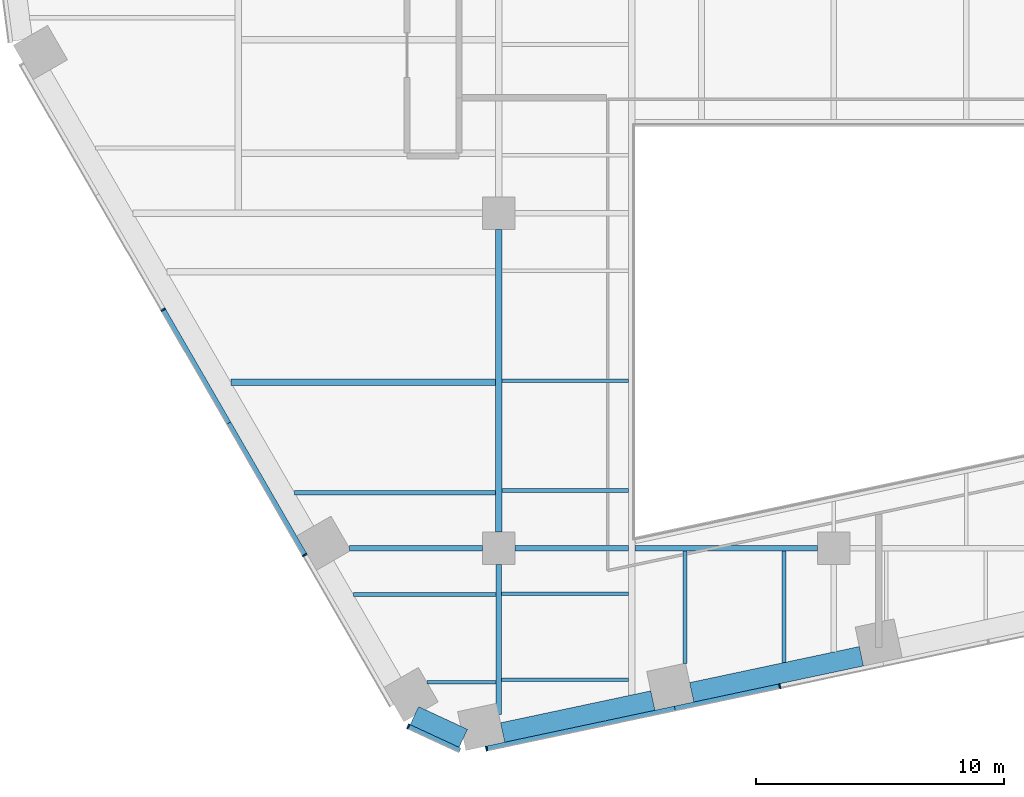
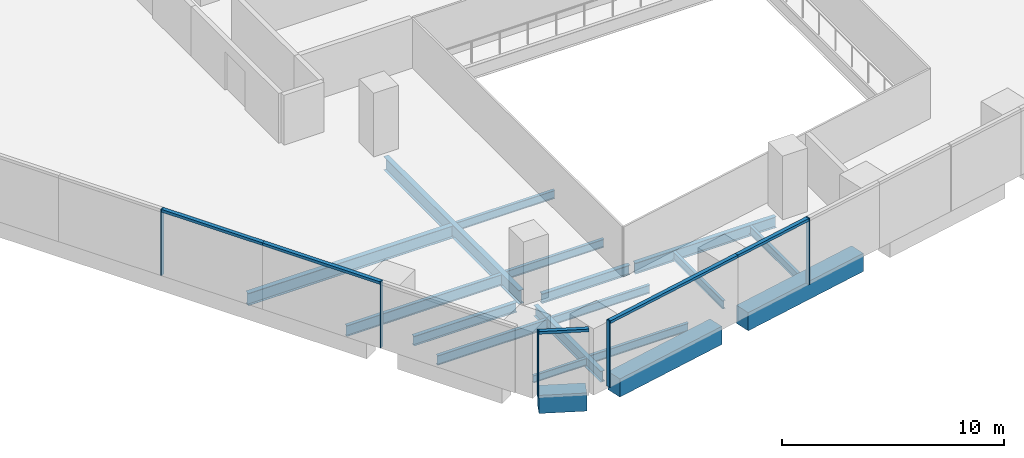
# One storey, part 2 of 19: 18 beams, 10 members, 3 elements without a shape of their own.
"""IFC4 building model written with IfcOpenShell, lengths in metres."""

import ifcopenshell
import ifcopenshell.guid

model = None  # the IFC model being written
_history = None  # IfcOwnerHistory: only IFC2X3 demands one
_inside = {}  # id of a spatial element -> (the spatial element, [elements in it])
_under = {}  # id of a project, library or spatial element -> (it, [spatial elements below it])
_declared = {}  # id of a project -> (the project, [libraries it declares])
_typed = {}  # id of a type object -> (the type object, [elements of that type])
_made_of = {}  # id of a material, layer set ... -> (it, [elements and type objects made of it])


def new_model(schema):
    """Start an empty IFC model of exactly this schema.

    Asked for "IFC4X3", IfcOpenShell would pick the latest addendum, in which some entities
    have other attributes; the version numbers below select the first issue.
    IFC2X3 requires an IfcOwnerHistory on every rooted entity: one is made here for all.
    """
    global model, _history
    if schema == "IFC4X3":
        model = ifcopenshell.file(schema_version=(4, 3, 0, 0))
    else:
        model = ifcopenshell.file(schema=schema)
    _inside.clear()
    _under.clear()
    _declared.clear()
    _typed.clear()
    _made_of.clear()
    _history = None
    if model.schema == "IFC2X3":
        org = make("IfcOrganization", Name="unknown")
        user = make(
            "IfcPersonAndOrganization",
            ThePerson=make("IfcPerson", FamilyName="unknown"),
            TheOrganization=org,
        )
        app = make(
            "IfcApplication",
            ApplicationDeveloper=org,
            Version="unknown",
            ApplicationFullName="unknown",
            ApplicationIdentifier="unknown",
        )
        _history = make(
            "IfcOwnerHistory",
            OwningUser=user,
            OwningApplication=app,
            ChangeAction="ADDED",
            CreationDate=0,
        )
    return model


def make(cls, **values):
    """One entity of the class cls with the attributes given. An attribute that is None is left unset."""
    return model.create_entity(
        cls, **{name: value for name, value in values.items() if value is not None}
    )


def rooted(cls, **values):
    """An entity with a GlobalId (a new one), such as an element, a storey or a relation."""
    return make(cls, GlobalId=ifcopenshell.guid.new(), OwnerHistory=_history, **values)


def si_unit(unit_type, name, prefix=None):
    """IfcSIUnit, for example si_unit("LENGTHUNIT", "METRE", prefix="MILLI")."""
    return make("IfcSIUnit", UnitType=unit_type, Prefix=prefix, Name=name)


def assignment(units):
    """IfcUnitAssignment: the units of a project."""
    return None if units is None else make("IfcUnitAssignment", Units=units)


def point(xyz):
    """IfcCartesianPoint."""
    return None if xyz is None else make("IfcCartesianPoint", Coordinates=xyz)


def direction(xyz):
    """IfcDirection."""
    return None if xyz is None else make("IfcDirection", DirectionRatios=xyz)


def frame(location, z_axis=None, x_axis=None):
    """IfcAxis2Placement3D, a coordinate frame: its origin and axes. An axis left out is left unset."""
    return make(
        "IfcAxis2Placement3D",
        Location=point(location),
        Axis=direction(z_axis),
        RefDirection=direction(x_axis),
    )


def frame_2d(location, x_axis=None):
    """IfcAxis2Placement2D, a coordinate frame in the plane: its origin and x axis."""
    return make(
        "IfcAxis2Placement2D", Location=point(location), RefDirection=direction(x_axis)
    )


def origin():
    """The frame at (0, 0, 0) with its axes left unset."""
    return frame((0.0, 0.0, 0.0))


def origin_2d():
    """The frame at (0, 0) in the plane with its x axis left unset."""
    return frame_2d((0.0, 0.0))


def place(relative_to, where):
    """IfcLocalPlacement: puts the frame where relative to a parent placement (None: the world)."""
    return make(
        "IfcLocalPlacement", PlacementRelTo=relative_to, RelativePlacement=where
    )


def context(
    kind, dimensions, precision=None, world=None, true_north=None, identifier=None
):
    """IfcGeometricRepresentationContext, for example the 3D "Model" context."""
    return make(
        "IfcGeometricRepresentationContext",
        ContextIdentifier=identifier,
        ContextType=kind,
        CoordinateSpaceDimension=dimensions,
        Precision=precision,
        WorldCoordinateSystem=world,
        TrueNorth=true_north,
    )


def subcontext(parent, identifier, kind, view, scale=None):
    """IfcGeometricRepresentationSubContext, for example "Body" below "Model"."""
    return make(
        "IfcGeometricRepresentationSubContext",
        ContextIdentifier=identifier,
        ContextType=kind,
        ParentContext=parent,
        TargetScale=scale,
        TargetView=view,
    )


def project(units=None, contexts=None):
    """IfcProject with its units and contexts."""
    return rooted(
        "IfcProject",
        Name="project",
        RepresentationContexts=contexts,
        UnitsInContext=assignment(units),
    )


def spatial(cls, under=None, at=None, **own):
    """A site, building, storey or space (cls), placed at a placement, below another one or the project."""
    s = rooted(cls, ObjectPlacement=at, **own)
    if under is not None:
        _under.setdefault(under.id(), (under, []))[1].append(s)
    return s


def profile(cls, at=None, kind="AREA", **sizes):
    """A parametric profile (cls). Its sizes go by their IFC names, for example OverallWidth=200.0."""
    return make(cls, ProfileType=kind, Position=at, **sizes)


def rectangle(**sizes):
    """IfcRectangleProfileDef."""
    return profile("IfcRectangleProfileDef", **sizes)


def i_section(**sizes):
    """IfcIShapeProfileDef."""
    return profile("IfcIShapeProfileDef", **sizes)


def extrude(swept, where, along, depth):
    """IfcExtrudedAreaSolid: the profile swept, set in the frame where, extruded along a direction by depth."""
    return make(
        "IfcExtrudedAreaSolid",
        SweptArea=swept,
        Position=where,
        ExtrudedDirection=direction(along),
        Depth=depth,
    )


def shape(context_of_items, identifier, shape_type, items):
    """IfcShapeRepresentation: the items that make up one representation, for example the "Body"."""
    return make(
        "IfcShapeRepresentation",
        ContextOfItems=context_of_items,
        RepresentationIdentifier=identifier,
        RepresentationType=shape_type,
        Items=items,
    )


def material(Name=None, Category=None):
    """IfcMaterial."""
    return make("IfcMaterial", Name=Name, Category=Category)


def layer(
    of_material, thickness, ventilated=None, Name=None, Category=None, Priority=None
):
    """IfcMaterialLayer: one layer of a wall or slab, of a material (None: an air gap)."""
    return make(
        "IfcMaterialLayer",
        Material=of_material,
        LayerThickness=thickness,
        IsVentilated=ventilated,
        Name=Name,
        Category=Category,
        Priority=Priority,
    )


def layer_set(layers, Name=None):
    """IfcMaterialLayerSet."""
    return make("IfcMaterialLayerSet", MaterialLayers=layers, LayerSetName=Name)


def material_profile(
    of_material, cross_section, Name=None, Category=None, Priority=None
):
    """IfcMaterialProfile: a cross section and its material."""
    return make(
        "IfcMaterialProfile",
        Name=Name,
        Material=of_material,
        Profile=cross_section,
        Priority=Priority,
        Category=Category,
    )


def profile_set(profiles, Name=None, composite=None):
    """IfcMaterialProfileSet."""
    return make(
        "IfcMaterialProfileSet",
        Name=Name,
        MaterialProfiles=profiles,
        CompositeProfile=composite,
    )


def made_of(thing, what):
    """Note that an element or type object is made of a material, layer set ...; save() writes the relation."""
    if what is not None:
        _made_of.setdefault(what.id(), (what, []))[1].append(thing)
    return thing


def type_object(cls, material=None, **own):
    """A type object (cls), such as IfcWallType, which elements share."""
    return made_of(rooted(cls, **own), material)


def element(
    cls,
    number,
    at=None,
    inside=None,
    cuts=None,
    type_object=None,
    material=None,
    context=None,
    identifier="Body",
    shape_type=None,
    held_by="IfcProductDefinitionShape",
    body=None,
    shapes=None,
    **own,
):
    """One element of the class cls, such as IfcWall. Its Tag is "e" and its number.

    at: its placement. inside: the storey or other place that contains it. cuts: it is an
    opening in that element (IfcRelVoidsElement). A single representation is given by context,
    identifier, shape_type and body (its items); several are given by shapes. held_by: the class
    of the entity that holds the representations. save() writes the other relations.
    """
    e = rooted(cls, Tag="e%d" % number, ObjectPlacement=at, **own)
    if body is not None:
        shapes = [shape(context, identifier, shape_type, body)]
    if shapes is not None:
        e.Representation = make(held_by, Representations=shapes)
    if inside is not None:
        _inside.setdefault(inside.id(), (inside, []))[1].append(e)
    if cuts is not None:
        rooted(
            "IfcRelVoidsElement", RelatingBuildingElement=cuts, RelatedOpeningElement=e
        )
    if type_object is not None:
        _typed.setdefault(type_object.id(), (type_object, []))[1].append(e)
    return made_of(e, material)


def aggregate(whole, parts):
    """IfcRelAggregates: a whole, such as a stair, and the parts it consists of."""
    return rooted("IfcRelAggregates", RelatingObject=whole, RelatedObjects=parts)


def save(model, path):
    """Write the relations noted so far, then the file.

    IfcRelAggregates (storeys below a building ...), IfcRelContainedInSpatialStructure (elements
    in a storey), IfcRelDefinesByType, IfcRelAssociatesMaterial and IfcRelDeclares: one each for
    every whole, place, type object, material and project.
    """
    for whole, parts in _under.values():
        aggregate(whole, parts)
    for where, things in _inside.values():
        rooted(
            "IfcRelContainedInSpatialStructure",
            RelatedElements=things,
            RelatingStructure=where,
        )
    for kind, things in _typed.values():
        rooted("IfcRelDefinesByType", RelatedObjects=things, RelatingType=kind)
    for what, things in _made_of.values():
        rooted("IfcRelAssociatesMaterial", RelatedObjects=things, RelatingMaterial=what)
    for by, libraries in _declared.values():
        rooted("IfcRelDeclares", RelatingContext=by, RelatedDefinitions=libraries)
    model.write(path)


model = new_model("IFC4")

# Units and contexts
model_context = context("Model", 3, precision=1e-05, world=origin(), true_north=direction((0.0, 1.0)))
body_context = subcontext(model_context, "Body", "Model", "MODEL_VIEW")
ifc_project = project(units=[si_unit("LENGTHUNIT", "METRE"), si_unit("AREAUNIT", "SQUARE_METRE"), si_unit("VOLUMEUNIT", "CUBIC_METRE"), si_unit("PLANEANGLEUNIT", "RADIAN"), si_unit("MASSUNIT", "GRAM", prefix="KILO")], contexts=[model_context])

# Site, building, storey
site_placement = place(None, origin())
site = spatial("IfcSite", under=ifc_project, at=site_placement, CompositionType="ELEMENT")
building_placement = place(site_placement, origin())
building = spatial("IfcBuilding", under=site, at=building_placement, Name="Isthmus Gate Tower", CompositionType="ELEMENT")
storey_placement = place(building_placement, frame((0.0, 0.0, 95.25)))
storey = spatial("IfcBuildingStorey", under=building, at=storey_placement, Name="L22", CompositionType="ELEMENT", Elevation=95.25)

# Curtain wall, members
ifc_material_1 = material(Name="Aluminium, pale champagne anodised", Category="aluminium")
ifc_layer = layer(ifc_material_1, 0.199951171875)
ifc_layer_set = layer_set([ifc_layer], Name="CW-1 UNITISED CURTAIN WALL 200 DEEP")
curtain_wall_type = type_object("IfcCurtainWallType", Name="CW-1 UNITISED CURTAIN WALL 200 DEEP", PredefinedType="NOTDEFINED", material=ifc_layer_set)
curtain_wall_1_placement = place(storey_placement, origin())
curtain_wall_1 = element("IfcCurtainWall", 1, at=curtain_wall_1_placement, inside=storey, type_object=curtain_wall_type, Name="CW-1 SW L22", PredefinedType="NOTDEFINED")
ifc_material_2 = material(Name="Aluminium, pale champagne anodised", Category="aluminium")
ifc_material_profile_1 = material_profile(ifc_material_2, rectangle(XDim=0.06005859375, YDim=0.199951171875, at=origin_2d()), Name="60x200")
ifc_profile_set_1 = profile_set([ifc_material_profile_1], Name="Aluminium, pale champagne anodised")
member_type_1 = type_object("IfcMemberType", Name="CW-1 MULLION 60 X 200", PredefinedType="MULLION", material=ifc_profile_set_1)
member_1_placement = place(storey_placement, frame((-27.026611328125, -17.388427734375, 0.0), z_axis=(0.0, 0.0, 1.0), x_axis=(0.5, -0.866025403784, 0.0)))
member_1 = element("IfcMember", 2, at=member_1_placement, type_object=member_type_1, Name="CW-1 mullion", PredefinedType="MULLION", context=body_context, shape_type="SweptSolid", body=[
    extrude(rectangle(XDim=0.06005859375, YDim=0.199951171875, at=origin_2d()), origin(), (0.0, 0.0, 1.0), 3.64990234375),
])
member_2_placement = place(storey_placement, frame((-21.318115234375, -27.27587890625, 0.0), z_axis=(0.0, 0.0, 1.0), x_axis=(0.5, -0.866025403784, 0.0)))
member_2 = element("IfcMember", 3, at=member_2_placement, type_object=member_type_1, Name="CW-1 mullion", PredefinedType="MULLION", context=body_context, shape_type="SweptSolid", body=[
    extrude(rectangle(XDim=0.06005859375, YDim=0.199951171875, at=origin_2d()), origin(), (0.0, 0.0, 1.0), 3.64990234375),
])

# Curtain wall, member
curtain_wall_2_placement = place(storey_placement, origin())
curtain_wall_2 = element("IfcCurtainWall", 4, at=curtain_wall_2_placement, inside=storey, type_object=curtain_wall_type, Name="CW-1 SW-S L22", PredefinedType="NOTDEFINED")
member_3_placement = place(storey_placement, frame((-17.14794921875, -34.184814453125, 0.0), z_axis=(0.0, 0.0, 1.0), x_axis=(0.907256261367, -0.420578264073, 0.0)))
member_3 = element("IfcMember", 5, at=member_3_placement, type_object=member_type_1, Name="CW-1 mullion", PredefinedType="MULLION", context=body_context, shape_type="SweptSolid", body=[
    extrude(rectangle(XDim=0.06005859375, YDim=0.199951171875, at=origin_2d()), origin(), (0.0, 0.0, 1.0), 3.64990234375),
])

# Curtain wall, members
curtain_wall_3_placement = place(storey_placement, origin())
curtain_wall_3 = element("IfcCurtainWall", 6, at=curtain_wall_3_placement, inside=storey, type_object=curtain_wall_type, Name="CW-1 S L22", PredefinedType="NOTDEFINED")
member_4_placement = place(storey_placement, frame((-13.992919921875, -35.076416015625, 0.0), z_axis=(0.0, 0.0, 1.0), x_axis=(0.978147600734, 0.207911690818, 0.0)))
member_4 = element("IfcMember", 7, at=member_4_placement, type_object=member_type_1, Name="CW-1 mullion", PredefinedType="MULLION", context=body_context, shape_type="SweptSolid", body=[
    extrude(rectangle(XDim=0.06005859375, YDim=0.199951171875, at=origin_2d()), origin(), (0.0, 0.0, 1.0), 3.64990234375),
])
member_5_placement = place(storey_placement, frame((-2.1728515625, -32.564208984375, 0.0), z_axis=(0.0, 0.0, 1.0), x_axis=(0.978147600734, 0.207911690818, 0.0)))
member_5 = element("IfcMember", 8, at=member_5_placement, type_object=member_type_1, Name="CW-1 mullion", PredefinedType="MULLION", context=body_context, shape_type="SweptSolid", body=[
    extrude(rectangle(XDim=0.06005859375, YDim=0.199951171875, at=origin_2d()), origin(), (0.0, 0.0, 1.0), 3.64990234375),
])

# Member
ifc_material_3 = material(Name="Aluminium, pale champagne anodised", Category="aluminium")
ifc_material_profile_2 = material_profile(ifc_material_3, rectangle(XDim=0.199951171875, YDim=0.14990234375, at=origin_2d()), Name="200x150")
ifc_profile_set_2 = profile_set([ifc_material_profile_2], Name="Aluminium, pale champagne anodised")
member_type_2 = type_object("IfcMemberType", Name="CW-1 TRANSOM 200 X 150", PredefinedType="USERDEFINED", material=ifc_profile_set_2)
member_6_placement = place(storey_placement, frame((-27.01171875, -17.414306640625, 3.574951171875), z_axis=(0.499996256241, -0.866027565234, 0.0), x_axis=(0.866027565234, 0.499996256241, 0.0)))
member_6 = element("IfcMember", 9, at=member_6_placement, type_object=member_type_2, Name="CW-1 transom", ObjectType="TRANSOM", PredefinedType="USERDEFINED", context=body_context, shape_type="SweptSolid", body=[
    extrude(rectangle(XDim=0.199951171875, YDim=0.14990234375, at=origin_2d()), origin(), (0.0, 0.0, 1.0), 5.24853515625),
])

member_7_placement = place(storey_placement, frame((-24.387451171875, -21.959716796875, 3.574951171875), z_axis=(0.500011900272, -0.86601853305, 0.0), x_axis=(0.86601853305, 0.500011900272, 0.0)))
member_7 = element("IfcMember", 10, at=member_7_placement, type_object=member_type_2, Name="CW-1 transom", ObjectType="TRANSOM", PredefinedType="USERDEFINED", context=body_context, shape_type="SweptSolid", body=[
    extrude(rectangle(XDim=0.199951171875, YDim=0.14990234375, at=origin_2d()), origin(), (0.0, 0.0, 1.0), 6.108642578125),
])

aggregate(curtain_wall_1, [member_1, member_6, member_7, member_2])

member_8_placement = place(storey_placement, frame((-17.120849609375, -34.197509765625, 3.574951171875), z_axis=(0.907246225564, -0.420599912268, 0.0), x_axis=(0.420599912268, 0.907246225564, 0.0)))
member_8 = element("IfcMember", 11, at=member_8_placement, type_object=member_type_2, Name="CW-1 transom", ObjectType="TRANSOM", PredefinedType="USERDEFINED", context=body_context, shape_type="SweptSolid", body=[
    extrude(rectangle(XDim=0.199951171875, YDim=0.14990234375, at=origin_2d()), origin(), (0.0, 0.0, 1.0), 2.258544921875),
])

aggregate(curtain_wall_2, [member_3, member_8])

member_9_placement = place(storey_placement, frame((-13.963623046875, -35.0703125, 3.574951171875), z_axis=(0.97815050153, 0.207898043176, 0.0), x_axis=(-0.207898043176, 0.97815050153, 0.0)))
member_9 = element("IfcMember", 12, at=member_9_placement, type_object=member_type_2, Name="CW-1 transom", ObjectType="TRANSOM", PredefinedType="USERDEFINED", context=body_context, shape_type="SweptSolid", body=[
    extrude(rectangle(XDim=0.199951171875, YDim=0.14990234375, at=origin_2d()), origin(), (0.0, 0.0, 1.0), 7.7294921875),
])

member_10_placement = place(storey_placement, frame((-6.403076171875, -33.46337890625, 3.574951171875), z_axis=(0.97813890815, 0.207952582007, 0.0), x_axis=(-0.207952582007, 0.97813890815, 0.0)))
member_10 = element("IfcMember", 13, at=member_10_placement, type_object=member_type_2, Name="CW-1 transom", ObjectType="TRANSOM", PredefinedType="USERDEFINED", context=body_context, shape_type="SweptSolid", body=[
    extrude(rectangle(XDim=0.199951171875, YDim=0.14990234375, at=origin_2d()), origin(), (0.0, 0.0, 1.0), 4.294677734375),
])

aggregate(curtain_wall_3, [member_4, member_9, member_10, member_5])

# Beams
ifc_material_4 = material(Name="Concrete f'c 70 MPa", Category="concrete")
ifc_material_profile_3 = material_profile(ifc_material_4, rectangle(XDim=0.800048828125, YDim=1.0, at=origin_2d()), Name="RC 800X1000")
ifc_profile_set_3 = profile_set([ifc_material_profile_3], Name="Concrete f'c 70 MPa")
beam_type_1 = type_object("IfcBeamType", Name="RC SPANDREL 800 X 1000", PredefinedType="SPANDREL", material=ifc_profile_set_3)
beam_1_placement = place(storey_placement, frame((1.112060546875, -31.354736328125, -0.5), z_axis=(-0.978149173437, -0.207904291694, 0.0), x_axis=(0.207904291694, -0.978149173437, 0.0)))
element("IfcBeam", 14, at=beam_1_placement, inside=storey, type_object=beam_type_1, Name="str-spandrel-L22-12", PredefinedType="SPANDREL", context=body_context, shape_type="SweptSolid", body=[
    extrude(rectangle(XDim=0.800048828125, YDim=1.0, at=origin_2d()), origin(), (0.0, 0.0, 1.0), 6.989501953125),
])
beam_2_placement = place(storey_placement, frame((-7.28955078125, -33.140625, -0.5), z_axis=(-0.978155442329, -0.207874795591, 0.0), x_axis=(0.207874795591, -0.978155442329, 0.0)))
element("IfcBeam", 15, at=beam_2_placement, inside=storey, type_object=beam_type_1, Name="str-spandrel-L22-13", PredefinedType="SPANDREL", context=body_context, shape_type="SweptSolid", body=[
    extrude(rectangle(XDim=0.800048828125, YDim=1.0, at=origin_2d()), origin(), (0.0, 0.0, 1.0), 6.189453125),
])
beam_3_placement = place(storey_placement, frame((-14.929443359375, -34.662109375, -0.5), z_axis=(-0.907290744498, 0.420503870314, 0.0), x_axis=(-0.420503870314, -0.907290744498, 0.0)))
element("IfcBeam", 16, at=beam_3_placement, inside=storey, type_object=beam_type_1, Name="str-spandrel-L22-14", PredefinedType="SPANDREL", context=body_context, shape_type="SweptSolid", body=[
    extrude(rectangle(XDim=0.800048828125, YDim=1.0, at=origin_2d()), origin(), (0.0, 0.0, 1.0), 2.173095703125),
])
ifc_material_5 = material(Name="Structural steel ASTM A992 Gr 50", Category="steel")
ifc_material_profile_4 = material_profile(ifc_material_5, i_section(OverallWidth=0.1396484375, OverallDepth=0.4033203125, WebThickness=0.00634765625, FlangeThickness=0.010986328125, at=origin_2d()), Name="W16X31")
ifc_profile_set_4 = profile_set([ifc_material_profile_4], Name="Structural steel ASTM A992 Gr 50")
beam_type_2 = type_object("IfcBeamType", Name="STEEL FLOOR BEAM W16X31", PredefinedType="JOIST", material=ifc_profile_set_4)
beam_4_placement = place(storey_placement, frame((-16.393310546875, -32.406005859375, -0.3515625), z_axis=(1.0, 0.0, 0.0), x_axis=(0.0, 1.0, 0.0)))
element("IfcBeam", 17, at=beam_4_placement, inside=storey, type_object=beam_type_2, Name="str-beam-L22-10-00", PredefinedType="JOIST", context=body_context, shape_type="SweptSolid", body=[
    extrude(i_section(OverallWidth=0.1396484375, OverallDepth=0.4033203125, WebThickness=0.00634765625, FlangeThickness=0.010986328125, at=origin_2d()), origin(), (0.0, 0.0, 1.0), 2.779052734375),
])
ifc_material_6 = material(Name="Structural steel ASTM A992 Gr 50", Category="steel")
ifc_material_profile_5 = material_profile(ifc_material_6, i_section(OverallWidth=0.15234375, OverallDepth=0.45068359375, WebThickness=0.0078125, FlangeThickness=0.010986328125, at=origin_2d()), Name="W18X35")
ifc_profile_set_5 = profile_set([ifc_material_profile_5], Name="Structural steel ASTM A992 Gr 50")
beam_type_3 = type_object("IfcBeamType", Name="STEEL FLOOR BEAM W18X35", PredefinedType="JOIST", material=ifc_profile_set_5)
for number, where, z_axis, x_axis, name in (
    (18, (-13.3857421875, -32.30322265625, -0.37548828125), (1.0, 0.0, 0.0), (0.0, 1.0, 0.0), "str-beam-L22-11-00"),
    (19, (-13.3857421875, -28.837646484375, -0.37548828125), (1.0, 0.0, 0.0), (0.0, 1.0, 0.0), "str-beam-L22-11-01"),
):
    element("IfcBeam", number, at=place(storey_placement, frame(where, z_axis=z_axis, x_axis=x_axis)), inside=storey, type_object=beam_type_3, Name=name, PredefinedType="JOIST", context=body_context, shape_type="SweptSolid", body=[
        extrude(i_section(OverallWidth=0.15234375, OverallDepth=0.45068359375, WebThickness=0.0078125, FlangeThickness=0.010986328125, at=origin_2d()), origin(), (0.0, 0.0, 1.0), 5.119140625),
    ])
for number, where, z_axis, x_axis, name in (
    (20, (-13.3681640625, -24.68017578125, -0.37548828125), (1.0, 0.0, 0.0), (0.0, 1.0, 0.0), "str-beam-L22-13-00"),
    (21, (-13.3681640625, -20.25, -0.37548828125), (1.0, 0.0, 0.0), (0.0, 1.0, 0.0), "str-beam-L22-13-01"),
):
    element("IfcBeam", number, at=place(storey_placement, frame(where, z_axis=z_axis, x_axis=x_axis)), inside=storey, type_object=beam_type_3, Name=name, PredefinedType="JOIST", context=body_context, shape_type="SweptSolid", body=[
        extrude(i_section(OverallWidth=0.15234375, OverallDepth=0.45068359375, WebThickness=0.0078125, FlangeThickness=0.010986328125, at=origin_2d()), origin(), (0.0, 0.0, 1.0), 5.1015625),
    ])
beam_5_placement = place(storey_placement, frame((-6.0, -31.6396484375, -0.37548828125), z_axis=(0.0, 1.0, 0.0), x_axis=(-1.0, 0.0, 0.0)))
element("IfcBeam", 22, at=beam_5_placement, inside=storey, type_object=beam_type_3, Name="str-beam-L22-16-00", PredefinedType="JOIST", context=body_context, shape_type="SweptSolid", body=[
    extrude(i_section(OverallWidth=0.15234375, OverallDepth=0.45068359375, WebThickness=0.0078125, FlangeThickness=0.010986328125, at=origin_2d()), origin(), (0.0, 0.0, 1.0), 4.525390625),
])
beam_6_placement = place(storey_placement, frame((-2.0, -31.607177734375, -0.37548828125), z_axis=(0.0, 1.0, 0.0), x_axis=(-1.0, 0.0, 0.0)))
element("IfcBeam", 23, at=beam_6_placement, inside=storey, type_object=beam_type_3, Name="str-beam-L22-16-01", PredefinedType="JOIST", context=body_context, shape_type="SweptSolid", body=[
    extrude(i_section(OverallWidth=0.15234375, OverallDepth=0.45068359375, WebThickness=0.0078125, FlangeThickness=0.010986328125, at=origin_2d()), origin(), (0.0, 0.0, 1.0), 4.492919921875),
])
ifc_material_7 = material(Name="Structural steel ASTM A992 Gr 50", Category="steel")
ifc_material_profile_6 = material_profile(ifc_material_7, i_section(OverallWidth=0.1650390625, OverallDepth=0.52392578125, WebThickness=0.009521484375, FlangeThickness=0.010986328125, at=origin_2d()), Name="W21X44")
ifc_profile_set_6 = profile_set([ifc_material_profile_6], Name="Structural steel ASTM A992 Gr 50")
beam_type_4 = type_object("IfcBeamType", Name="STEEL FLOOR BEAM W21X44", PredefinedType="JOIST", material=ifc_profile_set_6)
beam_7_placement = place(storey_placement, frame((-19.357421875, -28.871826171875, -0.411865234375), z_axis=(1.0, 0.0, 0.0), x_axis=(0.0, 1.0, 0.0)))
element("IfcBeam", 24, at=beam_7_placement, inside=storey, type_object=beam_type_4, Name="str-beam-L22-10-01", PredefinedType="JOIST", context=body_context, shape_type="SweptSolid", body=[
    extrude(i_section(OverallWidth=0.1650390625, OverallDepth=0.52392578125, WebThickness=0.009521484375, FlangeThickness=0.010986328125, at=origin_2d()), origin(), (0.0, 0.0, 1.0), 5.7431640625),
])
ifc_material_8 = material(Name="Structural steel ASTM A992 Gr 50", Category="steel")
ifc_material_profile_7 = material_profile(ifc_material_8, i_section(OverallWidth=0.177734375, OverallDepth=0.60009765625, WebThickness=0.009521484375, FlangeThickness=0.0126953125, at=origin_2d()), Name="W24X55")
ifc_profile_set_7 = profile_set([ifc_material_profile_7], Name="Structural steel ASTM A992 Gr 50")
beam_type_5 = type_object("IfcBeamType", Name="STEEL FLOOR BEAM W24X55", PredefinedType="JOIST", material=ifc_profile_set_7)
beam_8_placement = place(storey_placement, frame((-21.724365234375, -24.772216796875, -0.449951171875), z_axis=(1.0, 0.0, 0.0), x_axis=(0.0, 1.0, 0.0)))
element("IfcBeam", 25, at=beam_8_placement, inside=storey, type_object=beam_type_5, Name="str-beam-L22-06-00", PredefinedType="JOIST", context=body_context, shape_type="SweptSolid", body=[
    extrude(i_section(OverallWidth=0.177734375, OverallDepth=0.60009765625, WebThickness=0.009521484375, FlangeThickness=0.0126953125, at=origin_2d()), origin(), (0.0, 0.0, 1.0), 8.092529296875),
])
ifc_material_9 = material(Name="Structural steel ASTM A992 Gr 50", Category="steel")
ifc_material_profile_8 = material_profile(ifc_material_9, i_section(OverallWidth=0.25390625, OverallDepth=0.679443359375, WebThickness=0.010986328125, FlangeThickness=0.015869140625, at=origin_2d()), Name="W27X84")
ifc_profile_set_8 = profile_set([ifc_material_profile_8], Name="Structural steel ASTM A992 Gr 50")
beam_type_6 = type_object("IfcBeamType", Name="STEEL FLOOR BEAM W27X84", PredefinedType="JOIST", material=ifc_profile_set_8)
beam_9_placement = place(storey_placement, frame((-24.296875, -20.316650390625, -0.48974609375), z_axis=(1.0, 0.0, 0.0), x_axis=(0.0, 1.0, 0.0)))
element("IfcBeam", 26, at=beam_9_placement, inside=storey, type_object=beam_type_6, Name="str-beam-L22-06-01", PredefinedType="JOIST", context=body_context, shape_type="SweptSolid", body=[
    extrude(i_section(OverallWidth=0.25390625, OverallDepth=0.679443359375, WebThickness=0.010986328125, FlangeThickness=0.015869140625, at=origin_2d()), origin(), (0.0, 0.0, 1.0), 10.6650390625),
])
ifc_material_10 = material(Name="Structural steel ASTM A992 Gr 50", Category="steel")
ifc_material_profile_9 = material_profile(ifc_material_10, i_section(OverallWidth=0.20947265625, OverallDepth=0.533447265625, WebThickness=0.009521484375, FlangeThickness=0.015869140625, at=origin_2d()), Name="W21X62")
ifc_profile_set_9 = profile_set([ifc_material_profile_9], Name="Structural steel ASTM A992 Gr 50")
beam_type_7 = type_object("IfcBeamType", Name="STEEL GIRDER W21X62", PredefinedType="BEAM", material=ifc_profile_set_9)
beam_10_placement = place(storey_placement, frame((-19.514404296875, -27.0, -0.416748046875), z_axis=(1.0, 0.0, 0.0), x_axis=(0.0, 1.0, 0.0)))
element("IfcBeam", 27, at=beam_10_placement, inside=storey, type_object=beam_type_7, Name="str-girder-L22-01", PredefinedType="BEAM", context=body_context, shape_type="SweptSolid", body=[
    extrude(i_section(OverallWidth=0.20947265625, OverallDepth=0.533447265625, WebThickness=0.009521484375, FlangeThickness=0.015869140625, at=origin_2d()), origin(), (0.0, 0.0, 1.0), 5.364501953125),
])
beam_11_placement = place(storey_placement, frame((-12.85009765625, -27.0, -0.416748046875), z_axis=(1.0, 0.0, 0.0), x_axis=(0.0, 1.0, 0.0)))
element("IfcBeam", 28, at=beam_11_placement, inside=storey, type_object=beam_type_7, Name="str-girder-L22-02", PredefinedType="BEAM", context=body_context, shape_type="SweptSolid", body=[
    extrude(i_section(OverallWidth=0.20947265625, OverallDepth=0.533447265625, WebThickness=0.009521484375, FlangeThickness=0.015869140625, at=origin_2d()), origin(), (0.0, 0.0, 1.0), 4.58349609375),
])
ifc_material_11 = material(Name="Structural steel ASTM A992 Gr 50", Category="steel")
ifc_material_profile_10 = material_profile(ifc_material_11, i_section(OverallWidth=0.228515625, OverallDepth=0.603271484375, WebThickness=0.010986328125, FlangeThickness=0.014404296875, at=origin_2d()), Name="W24X68")
ifc_profile_set_10 = profile_set([ifc_material_profile_10], Name="Structural steel ASTM A992 Gr 50")
beam_type_8 = type_object("IfcBeamType", Name="STEEL GIRDER W24X68", PredefinedType="BEAM", material=ifc_profile_set_10)
beam_12_placement = place(storey_placement, frame((-8.0, -27.0, -0.45166015625), z_axis=(1.0, 0.0, 0.0), x_axis=(0.0, 1.0, 0.0)))
element("IfcBeam", 29, at=beam_12_placement, inside=storey, type_object=beam_type_8, Name="str-girder-L22-03", PredefinedType="BEAM", context=body_context, shape_type="SweptSolid", body=[
    extrude(i_section(OverallWidth=0.228515625, OverallDepth=0.603271484375, WebThickness=0.010986328125, FlangeThickness=0.014404296875, at=origin_2d()), origin(), (0.0, 0.0, 1.0), 7.35009765625),
])
beam_13_placement = place(storey_placement, frame((-13.5, -33.69189453125, -0.45166015625), z_axis=(0.0, 1.0, 0.0), x_axis=(-1.0, 0.0, 0.0)))
element("IfcBeam", 30, at=beam_13_placement, inside=storey, type_object=beam_type_8, Name="str-girder-L22-24", PredefinedType="BEAM", context=body_context, shape_type="SweptSolid", body=[
    extrude(i_section(OverallWidth=0.228515625, OverallDepth=0.603271484375, WebThickness=0.010986328125, FlangeThickness=0.014404296875, at=origin_2d()), origin(), (0.0, 0.0, 1.0), 6.0419921875),
])
ifc_material_12 = material(Name="Structural steel ASTM A992 Gr 50", Category="steel")
ifc_material_profile_11 = material_profile(ifc_material_12, i_section(OverallWidth=0.263427734375, OverallDepth=0.749267578125, WebThickness=0.0126953125, FlangeThickness=0.015869140625, at=origin_2d()), Name="W30X90")
ifc_profile_set_11 = profile_set([ifc_material_profile_11], Name="Structural steel ASTM A992 Gr 50")
beam_type_9 = type_object("IfcBeamType", Name="STEEL GIRDER W30X90", PredefinedType="BEAM", material=ifc_profile_set_11)
beam_14_placement = place(storey_placement, frame((-13.5, -26.35009765625, -0.524658203125), z_axis=(0.0, 1.0, 0.0), x_axis=(-1.0, 0.0, 0.0)))
element("IfcBeam", 31, at=beam_14_placement, inside=storey, type_object=beam_type_9, Name="str-girder-L22-25", PredefinedType="BEAM", context=body_context, shape_type="SweptSolid", body=[
    extrude(i_section(OverallWidth=0.263427734375, OverallDepth=0.749267578125, WebThickness=0.0126953125, FlangeThickness=0.015869140625, at=origin_2d()), origin(), (0.0, 0.0, 1.0), 12.2001953125),
])

save(model, "model.ifc")
